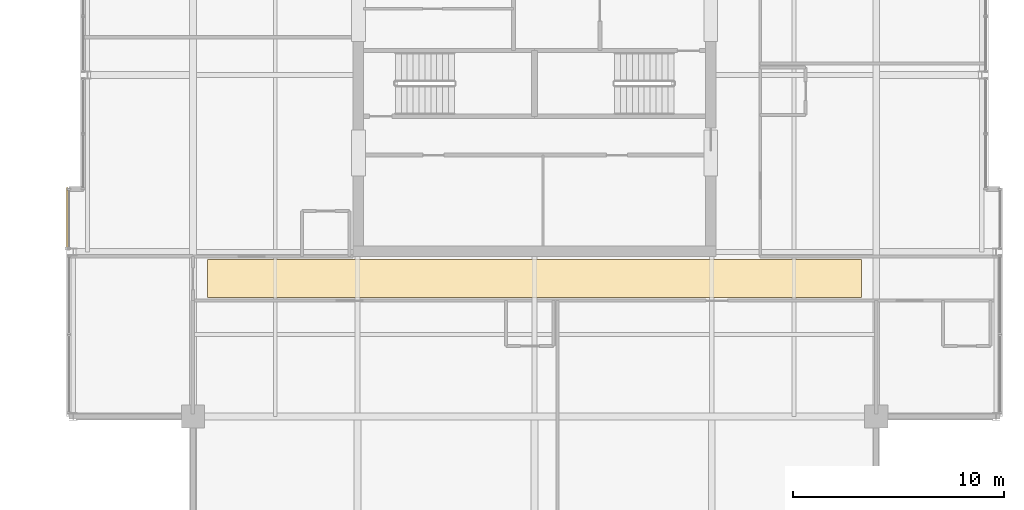
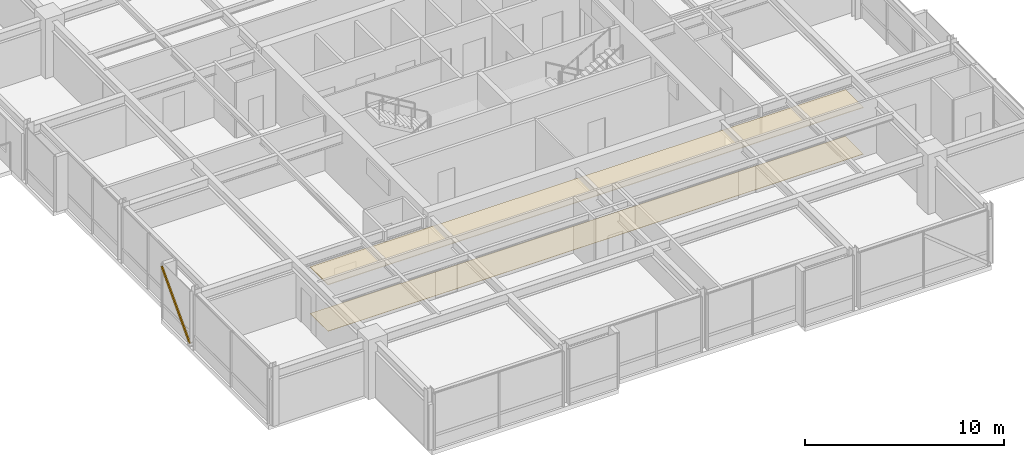
# One storey, part 31 of 33: 2 coverings, 1 shading device.
"""IFC4 building model written with IfcOpenShell, lengths in metres."""

from ifc_helpers import new_model, si_unit, direction, frame, origin, origin_2d, place, context, subcontext, project, spatial, polyline, hollow_rectangle, outline, extrude, material, layer, layer_set, material_profile, profile_set, type_object, element, save


model = new_model("IFC4")

# Units and contexts
model_context = context("Model", 3, precision=1e-05, world=origin(), true_north=direction((0.0, 1.0)))
body_context = subcontext(model_context, "Body", "Model", "MODEL_VIEW")
ifc_project = project(units=[si_unit("LENGTHUNIT", "METRE"), si_unit("AREAUNIT", "SQUARE_METRE"), si_unit("VOLUMEUNIT", "CUBIC_METRE"), si_unit("PLANEANGLEUNIT", "RADIAN"), si_unit("MASSUNIT", "GRAM", prefix="KILO")], contexts=[model_context])

# Site, building, storey
site_placement = place(None, origin())
site = spatial("IfcSite", under=ifc_project, at=site_placement, CompositionType="ELEMENT")
building_placement = place(site_placement, origin())
building = spatial("IfcBuilding", under=site, at=building_placement, Name="Drelvath Grand Hotel", CompositionType="ELEMENT")
storey_placement = place(building_placement, frame((0.0, 0.0, 275.949951171875)))
storey = spatial("IfcBuildingStorey", under=building, at=storey_placement, Name="L72", CompositionType="ELEMENT", Elevation=275.949951171875)

# Shading device
ifc_material_1 = material(Name="Platinum-Mist Anodised Aluminium", Category="aluminium")
ifc_material_profile = material_profile(ifc_material_1, hollow_rectangle(XDim=0.06494140625, YDim=0.159912109375, WallThickness=0.00390625, at=origin_2d()), Name="HSS160X65X4")
ifc_profile_set = profile_set([ifc_material_profile], Name="Platinum-Mist Anodised Aluminium")
shading_device_type = type_object("IfcShadingDeviceType", Name="Diagonal Solar Fin Platinum Anodised HSS160X65X4", PredefinedType="USERDEFINED", material=ifc_profile_set)
shading_device_placement = place(storey_placement, frame((-22.159912109375, 18.77001953125, 0.179931640625), z_axis=(0.0, 0.682582554051, 0.73080849537), x_axis=(-1.0, 0.0, 0.0)))
element("IfcShadingDevice", 1, at=shading_device_placement, inside=storey, type_object=shading_device_type, Name="L72 Diagonal Anodised Fin CW05-L72-WS2", ObjectType="FIN", PredefinedType="USERDEFINED", context=body_context, shape_type="SweptSolid", body=[
    extrude(hollow_rectangle(XDim=0.06494140625, YDim=0.159912109375, WallThickness=0.00390625, at=origin_2d()), origin(), (0.0, 0.0, 1.0), 4.146240234375),
])

# Coverings
ifc_material_2 = material(Name="Woven Wool Broadloom Carpet")
ifc_layer_1 = layer(ifc_material_2, 0.01806640625)
ifc_layer_set_1 = layer_set([ifc_layer_1], Name="Woven Wool Broadloom Carpet")
covering_type_1 = type_object("IfcCoveringType", Name="Hospitality Broadloom Carpet 18", PredefinedType="FLOORING", material=ifc_layer_set_1)
covering_1_placement = place(storey_placement, origin())
element("IfcCovering", 2, at=covering_1_placement, inside=storey, type_object=covering_type_1, Name="L72 Upper Gallery Carpet", PredefinedType="FLOORING", context=body_context, shape_type="SweptSolid", body=[
    extrude(outline(polyline([(15.5, 16.449951171875), (15.5, 18.25), (-15.5, 18.25), (-15.5, 16.449951171875), (15.5, 16.449951171875)])), origin(), (0.0, 0.0, 1.0), 0.01806640625),
])
ifc_material_3 = material(Name="Anodised Aluminium Alloy", Category="aluminium")
ifc_layer_2 = layer(ifc_material_3, 0.0400390625)
ifc_layer_set_2 = layer_set([ifc_layer_2], Name="Anodised Aluminium Alloy")
covering_type_2 = type_object("IfcCoveringType", Name="Perforated Metal Corridor Ceiling 40", PredefinedType="CEILING", material=ifc_layer_set_2)
covering_2_placement = place(storey_placement, frame((0.0, 0.0, 2.840087890625)))
element("IfcCovering", 3, at=covering_2_placement, inside=storey, type_object=covering_type_2, Name="L72 Upper Gallery Ceiling", PredefinedType="CEILING", context=body_context, shape_type="SweptSolid", body=[
    extrude(outline(polyline([(15.5, 16.449951171875), (15.5, 18.25), (-15.5, 18.25), (-15.5, 16.449951171875), (15.5, 16.449951171875)])), origin(), (0.0, 0.0, 1.0), 0.0400390625),
])

save(model, "model.ifc")
